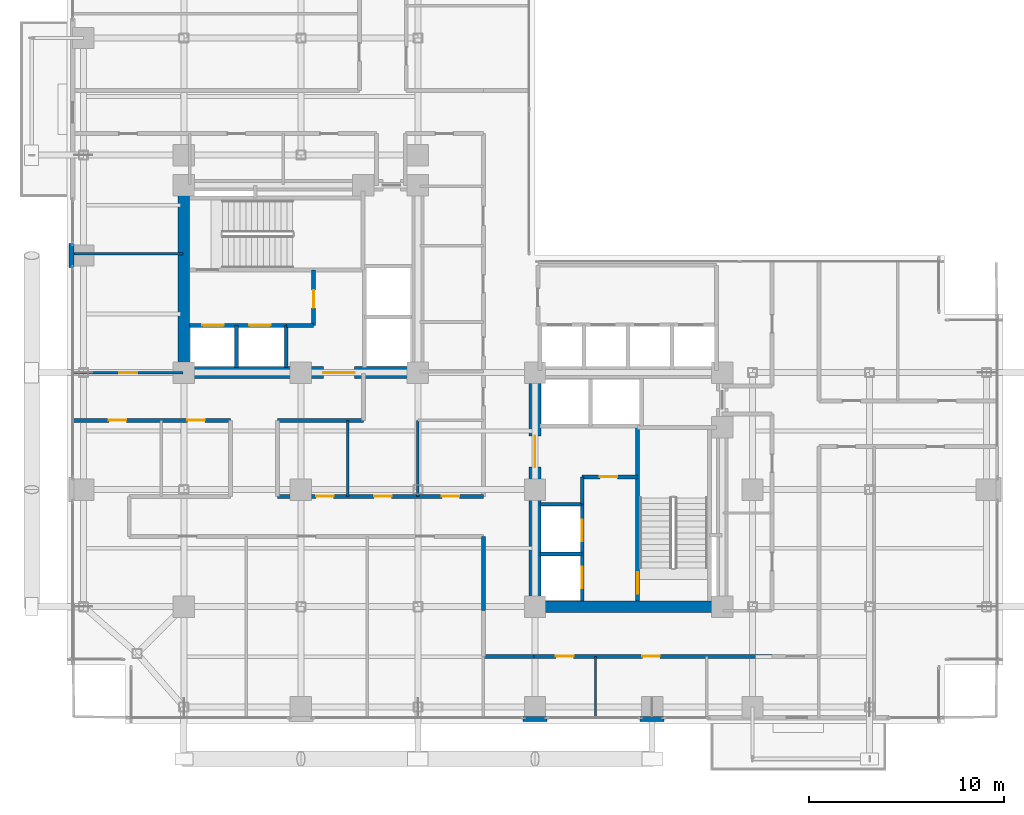
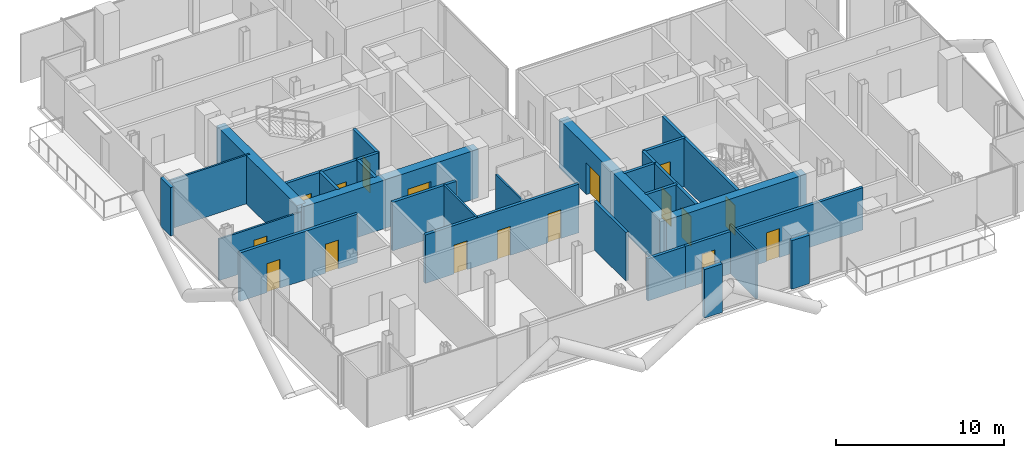
# One storey, part 22 of 28: 29 walls, 17 doors, 17 openings.
"""IFC4 building model written with IfcOpenShell, lengths in metres."""

from ifc_helpers import new_model, si_unit, direction, frame, frame_2d, origin, place, context, subcontext, project, spatial, rectangle, extrude, material, layer, layer_set, type_object, element, fill, save


model = new_model("IFC4")

# Units and contexts
model_context = context("Model", 3, precision=1e-05, world=origin(), true_north=direction((0.0, 1.0)))
body_context = subcontext(model_context, "Body", "Model", "MODEL_VIEW")
ifc_project = project(units=[si_unit("LENGTHUNIT", "METRE"), si_unit("AREAUNIT", "SQUARE_METRE"), si_unit("VOLUMEUNIT", "CUBIC_METRE"), si_unit("PLANEANGLEUNIT", "RADIAN"), si_unit("MASSUNIT", "GRAM", prefix="KILO"), si_unit("THERMODYNAMICTEMPERATUREUNIT", "KELVIN"), si_unit("POWERUNIT", "WATT")], contexts=[model_context])

# Site, building, storey
site_placement = place(None, origin())
site = spatial("IfcSite", under=ifc_project, at=site_placement, CompositionType="ELEMENT")
building_placement = place(site_placement, origin())
building = spatial("IfcBuilding", under=site, at=building_placement, Name="Svarakhadi Broadcast Tower", CompositionType="ELEMENT")
storey_placement = place(building_placement, frame((0.0, 0.0, 149.39990234375)))
storey = spatial("IfcBuildingStorey", under=building, at=storey_placement, Name="L36", CompositionType="ELEMENT", Elevation=149.39990234375)

# Walls
ifc_material_1 = material(Name="Concrete C40/50 (IS 456 M50)", Category="concrete")
ifc_layer_1 = layer(ifc_material_1, 0.239990234375)
ifc_layer_set_1 = layer_set([ifc_layer_1], Name="Concrete C40/50 (IS 456 M50)")
wall_type_1 = type_object("IfcWallType", Name="Wall_Ext_240", PredefinedType="SOLIDWALL", material=ifc_layer_set_1)
for number, where, z_axis, x_axis, name in (
    (1, (0.239990234375, 23.385009765625, 0.0), (0.0, 0.0, 1.0), (0.0, 1.0, 0.0), "L36 Perimeter Bronze Spandrel Closure Wall 02"),
    (2, (30.614990234375, 0.239990234375, 0.0), (0.0, 0.0, 1.0), (-1.0, 0.0, 0.0), "L36 Perimeter Bronze Spandrel Closure Wall 06"),
    (3, (24.614990234375, 0.239990234375, 0.0), (0.0, 0.0, 1.0), (-1.0, 0.0, 0.0), "L36 Perimeter Bronze Spandrel Closure Wall 07"),
):
    element("IfcWall", number, at=place(storey_placement, frame(where, z_axis=z_axis, x_axis=x_axis)), inside=storey, type_object=wall_type_1, Name=name, PredefinedType="SOLIDWALL", context=body_context, shape_type="SweptSolid", body=[
        extrude(rectangle(XDim=1.22998046875, YDim=0.239990234375, at=frame_2d((0.614990234375, 0.0))), origin(), (0.0, 0.0, 1.0), 3.525146484375),
    ])

# Wall, openings, doors
ifc_layer_2 = layer(ifc_material_1, 0.199951171875)
ifc_layer_set_2 = layer_set([ifc_layer_2], Name="Concrete C40/50 (IS 456 M50)")
wall_type_2 = type_object("IfcWallType", Name="Wall_Fire_200", PredefinedType="SOLIDWALL", material=ifc_layer_set_2)
wall_1_placement = place(storey_placement, frame((36.14990234375, 3.449951171875, 0.0), z_axis=(0.0, 0.0, 1.0), x_axis=(-1.0, 0.0, 0.0)))
wall_1 = element("IfcWall", 4, at=wall_1_placement, inside=storey, type_object=wall_type_2, Name="L36 Zone 2/3 Corridor Wall", PredefinedType="SOLIDWALL", context=body_context, shape_type="SweptSolid", body=[
    extrude(rectangle(XDim=12.199951171875, YDim=0.199951171875, at=frame_2d((6.10009765625, 0.0))), origin(), (0.0, 0.0, 1.0), 3.067138671875),
])
opening_1_placement = place(wall_1_placement, frame((10.175048828125, 0.0, 0.0)))
opening_1 = element("IfcOpeningElement", 5, at=opening_1_placement, cuts=wall_1, Name="Opening D-15", PredefinedType="OPENING", context=body_context, shape_type="SweptSolid", body=[
    extrude(rectangle(XDim=0.89990234375, YDim=2.10009765625, at=frame_2d((0.449951171875, 1.050048828125))), frame((0.0, 0.10986328125, 0.0), z_axis=(0.0, -1.0, 0.0), x_axis=(1.0, 0.0, 0.0)), (0.0, 0.0, 1.0), 0.219970703125),
])
opening_2_placement = place(wall_1_placement, frame((5.75, 0.0, 0.0)))
opening_2 = element("IfcOpeningElement", 6, at=opening_2_placement, cuts=wall_1, Name="Opening D-14", PredefinedType="OPENING", context=body_context, shape_type="SweptSolid", body=[
    extrude(rectangle(XDim=0.89990234375, YDim=2.10009765625, at=frame_2d((0.449951171875, 1.050048828125))), frame((0.0, 0.10986328125, 0.0), z_axis=(0.0, -1.0, 0.0), x_axis=(1.0, 0.0, 0.0)), (0.0, 0.0, 1.0), 0.219970703125),
])
ifc_material_2 = material(Name="Solid-Core Teak Veneer Acoustic Timber Leaf", Category="wood")
door_type_1 = type_object("IfcDoorType", Name="Door_Int_D14", OperationType="SINGLE_SWING_LEFT", PredefinedType="DOOR", material=ifc_material_2)
door_1_placement = place(opening_2_placement, origin())
door_1 = element("IfcDoor", 7, at=door_1_placement, inside=storey, type_object=door_type_1, Name="L36 Client Preview Briefing Room Door", OperationType="SINGLE_SWING_LEFT", OverallHeight=2.10009765625, OverallWidth=0.89990234375, PredefinedType="DOOR", context=body_context, shape_type="SweptSolid", body=[
    extrude(rectangle(XDim=0.89990234375, YDim=2.10009765625, at=frame_2d((0.449951171875, 1.050048828125))), frame((0.0, 0.02490234375, 0.0), z_axis=(0.0, -1.0, 0.0), x_axis=(1.0, 0.0, 0.0)), (0.0, 0.0, 1.0), 0.050048828125),
])
fill(opening_2, door_1)
door_type_2 = type_object("IfcDoorType", Name="Door_Int_D15", OperationType="SINGLE_SWING_RIGHT", PredefinedType="DOOR", material=ifc_material_2)
door_2_placement = place(opening_1_placement, origin())
door_2 = element("IfcDoor", 8, at=door_2_placement, inside=storey, type_object=door_type_2, Name="L36 Harbour Front Production Office Door", OperationType="SINGLE_SWING_RIGHT", OverallHeight=2.10009765625, OverallWidth=0.89990234375, PredefinedType="DOOR", context=body_context, shape_type="SweptSolid", body=[
    extrude(rectangle(XDim=0.89990234375, YDim=2.10009765625, at=frame_2d((0.449951171875, 1.050048828125))), frame((0.0, 0.02490234375, 0.0), z_axis=(0.0, -1.0, 0.0), x_axis=(1.0, 0.0, 0.0)), (0.0, 0.0, 1.0), 0.050048828125),
])
fill(opening_1, door_2)

# Walls
wall_2_placement = place(storey_placement, frame((23.949951171875, 3.449951171875, 0.0), z_axis=(0.0, 0.0, 1.0), x_axis=(-1.0, 0.0, 0.0)))
element("IfcWall", 9, at=wall_2_placement, inside=storey, type_object=wall_type_2, Name="L36 Zone 2/3 Corridor Wall", PredefinedType="SOLIDWALL", context=body_context, shape_type="SweptSolid", body=[
    extrude(rectangle(XDim=2.599853515625, YDim=0.199951171875, at=frame_2d((1.2998046875, 0.0))), origin(), (0.0, 0.0, 1.0), 3.067138671875),
])
wall_3_placement = place(storey_placement, frame((21.35009765625, 5.800048828125, 0.0), z_axis=(0.0, 0.0, 1.0), x_axis=(0.0, 1.0, 0.0)))
element("IfcWall", 10, at=wall_3_placement, inside=storey, type_object=wall_type_2, Name="L36 Zone 2/3 Corridor Wall", PredefinedType="SOLIDWALL", context=body_context, shape_type="SweptSolid", body=[
    extrude(rectangle(XDim=3.800048828125, YDim=0.199951171875, at=frame_2d((1.89990234375, 0.0))), origin(), (0.0, 0.0, 1.0), 3.525146484375),
])

# Wall, openings, doors
wall_4_placement = place(storey_placement, frame((8.39990234375, 15.550048828125, 0.0), z_axis=(0.0, 0.0, 1.0), x_axis=(-1.0, 0.0, 0.0)))
wall_4 = element("IfcWall", 11, at=wall_4_placement, inside=storey, type_object=wall_type_2, Name="L36 Zone 2/3 Corridor Wall", PredefinedType="SOLIDWALL", context=body_context, shape_type="SweptSolid", body=[
    extrude(rectangle(XDim=8.099853515625, YDim=0.199951171875, at=frame_2d((4.0498046875, 0.0))), origin(), (0.0, 0.0, 1.0), 3.525146484375),
])
opening_3_placement = place(wall_4_placement, frame((5.35009765625, 0.0, 0.0)))
opening_3 = element("IfcOpeningElement", 12, at=opening_3_placement, cuts=wall_4, Name="Opening D-14", PredefinedType="OPENING", context=body_context, shape_type="SweptSolid", body=[
    extrude(rectangle(XDim=0.89990234375, YDim=2.10009765625, at=frame_2d((0.449951171875, 1.050048828125))), frame((0.0, 0.10986328125, 0.0), z_axis=(0.0, -1.0, 0.0), x_axis=(1.0, 0.0, 0.0)), (0.0, 0.0, 1.0), 0.219970703125),
])
opening_4_placement = place(wall_4_placement, frame((1.324951171875, 0.0, 0.0)))
opening_4 = element("IfcOpeningElement", 13, at=opening_4_placement, cuts=wall_4, Name="Opening D-15", PredefinedType="OPENING", context=body_context, shape_type="SweptSolid", body=[
    extrude(rectangle(XDim=0.89990234375, YDim=2.10009765625, at=frame_2d((0.449951171875, 1.050048828125))), frame((0.0, 0.10986328125, 0.0), z_axis=(0.0, -1.0, 0.0), x_axis=(1.0, 0.0, 0.0)), (0.0, 0.0, 1.0), 0.219970703125),
])
door_3_placement = place(opening_3_placement, origin())
door_3 = element("IfcDoor", 14, at=door_3_placement, inside=storey, type_object=door_type_1, Name="L36 Vinyl and Atmos Mastering Room Door", OperationType="SINGLE_SWING_LEFT", OverallHeight=2.10009765625, OverallWidth=0.89990234375, PredefinedType="DOOR", context=body_context, shape_type="SweptSolid", body=[
    extrude(rectangle(XDim=0.89990234375, YDim=2.10009765625, at=frame_2d((0.449951171875, 1.050048828125))), frame((0.0, 0.02490234375, 0.0), z_axis=(0.0, -1.0, 0.0), x_axis=(1.0, 0.0, 0.0)), (0.0, 0.0, 1.0), 0.050048828125),
])
fill(opening_3, door_3)
door_4_placement = place(opening_4_placement, origin())
door_4 = element("IfcDoor", 15, at=door_4_placement, inside=storey, type_object=door_type_2, Name="L36 Orchestral Instrument Preparation Room Door", OperationType="SINGLE_SWING_RIGHT", OverallHeight=2.10009765625, OverallWidth=0.89990234375, PredefinedType="DOOR", context=body_context, shape_type="SweptSolid", body=[
    extrude(rectangle(XDim=0.89990234375, YDim=2.10009765625, at=frame_2d((0.449951171875, 1.050048828125))), frame((0.0, 0.02490234375, 0.0), z_axis=(0.0, -1.0, 0.0), x_axis=(1.0, 0.0, 0.0)), (0.0, 0.0, 1.0), 0.050048828125),
])
fill(opening_4, door_4)

# Wall
wall_5_placement = place(storey_placement, frame((15.199951171875, 15.550048828125, 0.0), z_axis=(0.0, 0.0, 1.0), x_axis=(-1.0, 0.0, 0.0)))
element("IfcWall", 16, at=wall_5_placement, inside=storey, type_object=wall_type_2, Name="L36 Zone 2/3 Corridor Wall", PredefinedType="SOLIDWALL", context=body_context, shape_type="SweptSolid", body=[
    extrude(rectangle(XDim=4.39990234375, YDim=0.199951171875, at=frame_2d((2.199951171875, 0.0))), origin(), (0.0, 0.0, 1.0), 3.525146484375),
])

# Wall, openings, doors
wall_6_placement = place(storey_placement, frame((10.800048828125, 11.64990234375, 0.0), z_axis=(0.0, 0.0, 1.0), x_axis=(1.0, 0.0, 0.0)))
wall_6 = element("IfcWall", 17, at=wall_6_placement, inside=storey, type_object=wall_type_2, Name="L36 Zone 2/3 Corridor Wall", PredefinedType="SOLIDWALL", context=body_context, shape_type="SweptSolid", body=[
    extrude(rectangle(XDim=10.550048828125, YDim=0.199951171875, at=frame_2d((5.27490234375, 0.0))), origin(), (0.0, 0.0, 1.0), 3.525146484375),
])
opening_5_placement = place(wall_6_placement, frame((1.97998046875, 0.0, 0.0)))
opening_5 = element("IfcOpeningElement", 18, at=opening_5_placement, cuts=wall_6, Name="Opening D-15", PredefinedType="OPENING", context=body_context, shape_type="SweptSolid", body=[
    extrude(rectangle(XDim=0.89990234375, YDim=2.10009765625, at=frame_2d((0.449951171875, 1.050048828125))), frame((0.0, 0.10986328125, 0.0), z_axis=(0.0, -1.0, 0.0), x_axis=(1.0, 0.0, 0.0)), (0.0, 0.0, 1.0), 0.219970703125),
])
opening_6_placement = place(wall_6_placement, frame((4.949951171875, 0.0, 0.0)))
opening_6 = element("IfcOpeningElement", 19, at=opening_6_placement, cuts=wall_6, Name="Opening D-12", PredefinedType="OPENING", context=body_context, shape_type="SweptSolid", body=[
    extrude(rectangle(XDim=0.89990234375, YDim=2.10009765625, at=frame_2d((0.449951171875, 1.050048828125))), frame((0.0, 0.10986328125, 0.0), z_axis=(0.0, -1.0, 0.0), x_axis=(1.0, 0.0, 0.0)), (0.0, 0.0, 1.0), 0.219970703125),
])
opening_7_placement = place(wall_6_placement, frame((8.425048828125, 0.0, 0.0)))
opening_7 = element("IfcOpeningElement", 20, at=opening_7_placement, cuts=wall_6, Name="Opening D-13", PredefinedType="OPENING", context=body_context, shape_type="SweptSolid", body=[
    extrude(rectangle(XDim=0.89990234375, YDim=2.10009765625, at=frame_2d((0.449951171875, 1.050048828125))), frame((0.0, 0.10986328125, 0.0), z_axis=(0.0, -1.0, 0.0), x_axis=(1.0, 0.0, 0.0)), (0.0, 0.0, 1.0), 0.219970703125),
])
door_type_3 = type_object("IfcDoorType", Name="Door_Closet_D13", OperationType="SINGLE_SWING_RIGHT", PredefinedType="DOOR", material=ifc_material_2)
door_5_placement = place(opening_7_placement, origin())
door_5 = element("IfcDoor", 21, at=door_5_placement, inside=storey, type_object=door_type_3, Name="L36 Accessible Floor Washroom WC Door", OperationType="SINGLE_SWING_RIGHT", OverallHeight=2.10009765625, OverallWidth=0.89990234375, PredefinedType="DOOR", context=body_context, shape_type="SweptSolid", body=[
    extrude(rectangle(XDim=0.89990234375, YDim=2.10009765625, at=frame_2d((0.449951171875, 1.050048828125))), frame((0.0, 0.02490234375, 0.0), z_axis=(0.0, -1.0, 0.0), x_axis=(1.0, 0.0, 0.0)), (0.0, 0.0, 1.0), 0.050048828125),
])
fill(opening_7, door_5)
door_6_placement = place(opening_5_placement, origin())
door_6 = element("IfcDoor", 22, at=door_6_placement, inside=storey, type_object=door_type_2, Name="L36 Acoustic Huddle Booth Door", OperationType="SINGLE_SWING_RIGHT", OverallHeight=2.10009765625, OverallWidth=0.89990234375, PredefinedType="DOOR", context=body_context, shape_type="SweptSolid", body=[
    extrude(rectangle(XDim=0.89990234375, YDim=2.10009765625, at=frame_2d((0.449951171875, 1.050048828125))), frame((0.0, 0.02490234375, 0.0), z_axis=(0.0, -1.0, 0.0), x_axis=(1.0, 0.0, 0.0)), (0.0, 0.0, 1.0), 0.050048828125),
])
fill(opening_5, door_6)
door_type_4 = type_object("IfcDoorType", Name="Door_WC_D01", OperationType="SINGLE_SWING_LEFT", PredefinedType="DOOR", material=ifc_material_2)
door_7_placement = place(opening_6_placement, origin())
door_7 = element("IfcDoor", 23, at=door_7_placement, inside=storey, type_object=door_type_4, Name="L36 Tea Bar Pantry Door", OperationType="SINGLE_SWING_LEFT", OverallHeight=2.10009765625, OverallWidth=0.89990234375, PredefinedType="DOOR", context=body_context, shape_type="SweptSolid", body=[
    extrude(rectangle(XDim=0.89990234375, YDim=2.10009765625, at=frame_2d((0.449951171875, 1.050048828125))), frame((0.0, 0.02490234375, 0.0), z_axis=(0.0, -1.0, 0.0), x_axis=(1.0, 0.0, 0.0)), (0.0, 0.0, 1.0), 0.050048828125),
])
fill(opening_6, door_7)

# Walls
ifc_material_3 = material(Name="Fire-Rated Moisture-Resistant Gypsum Board Partition", Category="gypsum")
ifc_layer_3 = layer(ifc_material_3, 0.125)
ifc_layer_set_3 = layer_set([ifc_layer_3], Name="Fire-Rated Moisture-Resistant Gypsum Board Partition")
wall_type_3 = type_object("IfcWallType", Name="Wall_Part_125", PredefinedType="PARTITIONING", material=ifc_layer_set_3)
wall_7_placement = place(storey_placement, frame((14.39990234375, 11.64990234375, 0.0), z_axis=(0.0, 0.0, 1.0), x_axis=(0.0, 1.0, 0.0)))
element("IfcWall", 24, at=wall_7_placement, inside=storey, type_object=wall_type_3, Name="L36 Acoustic Huddle Booth Wall", PredefinedType="PARTITIONING", context=body_context, shape_type="SweptSolid", body=[
    extrude(rectangle(XDim=3.900146484375, YDim=0.125, at=frame_2d((1.9501953125, 0.0))), origin(), (0.0, 0.0, 1.0), 3.525146484375),
])
wall_8_placement = place(storey_placement, frame((18.0, 11.64990234375, 0.0), z_axis=(0.0, 0.0, 1.0), x_axis=(0.0, 1.0, 0.0)))
element("IfcWall", 25, at=wall_8_placement, inside=storey, type_object=wall_type_3, Name="L36 Tea Bar Pantry Wall", PredefinedType="PARTITIONING", context=body_context, shape_type="SweptSolid", body=[
    extrude(rectangle(XDim=3.900146484375, YDim=0.125, at=frame_2d((1.9501953125, 0.0))), origin(), (0.0, 0.0, 1.0), 3.01708984375),
])

# Wall, opening, door
wall_9_placement = place(storey_placement, frame((0.300048828125, 18.0, 0.0), z_axis=(0.0, 0.0, 1.0), x_axis=(1.0, 0.0, 0.0)))
wall_9 = element("IfcWall", 26, at=wall_9_placement, inside=storey, type_object=wall_type_3, Name="L36 Arabian Sea Executive Studio Wall", PredefinedType="PARTITIONING", context=body_context, shape_type="SweptSolid", body=[
    extrude(rectangle(XDim=5.64990234375, YDim=0.125, at=frame_2d((2.824951171875, 0.0))), origin(), (0.0, 0.0, 1.0), 3.01708984375),
])
opening_8_placement = place(wall_9_placement, frame((2.39990234375, 0.0, 0.0)))
opening_8 = element("IfcOpeningElement", 27, at=opening_8_placement, cuts=wall_9, Name="Opening D-15", PredefinedType="OPENING", context=body_context, shape_type="SweptSolid", body=[
    extrude(rectangle(XDim=0.89990234375, YDim=2.10009765625, at=frame_2d((0.449951171875, 1.050048828125))), frame((0.0, 0.072509765625, 0.0), z_axis=(0.0, -1.0, 0.0), x_axis=(1.0, 0.0, 0.0)), (0.0, 0.0, 1.0), 0.14501953125),
])
door_8_placement = place(opening_8_placement, origin())
door_8 = element("IfcDoor", 28, at=door_8_placement, inside=storey, type_object=door_type_2, Name="L36 Arabian Sea Executive Studio Door", OperationType="SINGLE_SWING_RIGHT", OverallHeight=2.10009765625, OverallWidth=0.89990234375, PredefinedType="DOOR", context=body_context, shape_type="SweptSolid", body=[
    extrude(rectangle(XDim=0.89990234375, YDim=2.10009765625, at=frame_2d((0.449951171875, 1.050048828125))), frame((0.0, 0.02490234375, 0.0), z_axis=(0.0, -1.0, 0.0), x_axis=(1.0, 0.0, 0.0)), (0.0, 0.0, 1.0), 0.050048828125),
])
fill(opening_8, door_8)

# Walls
wall_10_placement = place(storey_placement, frame((0.300048828125, 24.10009765625, 0.0), z_axis=(0.0, 0.0, 1.0), x_axis=(1.0, 0.0, 0.0)))
element("IfcWall", 29, at=wall_10_placement, inside=storey, type_object=wall_type_3, Name="L36 Arabian Sea Executive Studio Wall", PredefinedType="PARTITIONING", context=body_context, shape_type="SweptSolid", body=[
    extrude(rectangle(XDim=5.64990234375, YDim=0.125, at=frame_2d((2.824951171875, 0.0))), origin(), (0.0, 0.0, 1.0), 3.525146484375),
])
wall_11_placement = place(storey_placement, frame((27.10009765625, 0.300048828125, 0.0), z_axis=(0.0, 0.0, 1.0), x_axis=(0.0, 1.0, 0.0)))
element("IfcWall", 30, at=wall_11_placement, inside=storey, type_object=wall_type_3, Name="L36 Harbour Front Production Office Wall", PredefinedType="PARTITIONING", context=body_context, shape_type="SweptSolid", body=[
    extrude(rectangle(XDim=3.14990234375, YDim=0.125, at=frame_2d((1.574951171875, 0.0))), origin(), (0.0, 0.0, 1.0), 3.525146484375),
])

# Wall, opening, door
ifc_material_4 = material(Name="Concrete C50/60 (IS 456 M60)", Category="concrete")
ifc_layer_4 = layer(ifc_material_4, 0.199951171875)
ifc_layer_set_4 = layer_set([ifc_layer_4], Name="Concrete C50/60 (IS 456 M60)")
wall_type_4 = type_object("IfcWallType", Name="Wall_Shear_200", PredefinedType="SHEAR", material=ifc_layer_set_4)
wall_12_placement = place(storey_placement, frame((29.260009765625, 6.300048828125, 0.0), z_axis=(0.0, 0.0, 1.0), x_axis=(0.0, 1.0, 0.0)))
wall_12 = element("IfcWall", 31, at=wall_12_placement, inside=storey, type_object=wall_type_4, Name="L36 Stair ST-02 West RC Shaft Wall", PredefinedType="SHEAR", context=body_context, shape_type="SweptSolid", body=[
    extrude(rectangle(XDim=8.8798828125, YDim=0.199951171875, at=frame_2d((4.43994140625, 0.0))), origin(), (0.0, 0.0, 1.0), 3.525146484375),
])
opening_9_placement = place(wall_12_placement, frame((0.35009765625, 0.0, 0.0)))
opening_9 = element("IfcOpeningElement", 32, at=opening_9_placement, cuts=wall_12, Name="Opening D-02", PredefinedType="OPENING", context=body_context, shape_type="SweptSolid", body=[
    extrude(rectangle(XDim=1.10009765625, YDim=2.199951171875, at=frame_2d((0.550048828125, 1.10009765625))), frame((0.0, 0.10986328125, 0.0), z_axis=(0.0, -1.0, 0.0), x_axis=(1.0, 0.0, 0.0)), (0.0, 0.0, 1.0), 0.219970703125),
])
ifc_material_5 = material(Name="Galvanised Powder-Coated Fire-Rated Steel Leaf", Category="steel")
door_type_5 = type_object("IfcDoorType", Name="Door_Stair_D02", OperationType="SINGLE_SWING_RIGHT", PredefinedType="DOOR", material=ifc_material_5)
door_9_placement = place(opening_9_placement, origin())
door_9 = element("IfcDoor", 33, at=door_9_placement, inside=storey, type_object=door_type_5, Name="L36 Protected Exit Stair ST-02 Fire Door", OperationType="SINGLE_SWING_RIGHT", OverallHeight=2.199951171875, OverallWidth=1.10009765625, PredefinedType="DOOR", context=body_context, shape_type="SweptSolid", body=[
    extrude(rectangle(XDim=1.10009765625, YDim=2.199951171875, at=frame_2d((0.550048828125, 1.10009765625))), frame((0.0, 0.02490234375, 0.0), z_axis=(0.0, -1.0, 0.0), x_axis=(1.0, 0.0, 0.0)), (0.0, 0.0, 1.0), 0.050048828125),
])
fill(opening_9, door_9)

# Wall, openings, doors
wall_13_placement = place(storey_placement, frame((6.300048828125, 20.419921875, 0.0), z_axis=(0.0, 0.0, 1.0), x_axis=(1.0, 0.0, 0.0)))
wall_13 = element("IfcWall", 34, at=wall_13_placement, inside=storey, type_object=wall_type_4, Name="L36 Firefighting Lift LF-01/02 Shaft Wall", PredefinedType="SHEAR", context=body_context, shape_type="SweptSolid", body=[
    extrude(rectangle(XDim=4.949951171875, YDim=0.199951171875, at=frame_2d((2.47509765625, 0.0))), origin(), (0.0, 0.0, 1.0), 3.525146484375),
])
opening_10_placement = place(wall_13_placement, frame((0.64990234375, 0.0, 0.0)))
opening_10 = element("IfcOpeningElement", 35, at=opening_10_placement, cuts=wall_13, Name="Opening LD-01", PredefinedType="OPENING", context=body_context, shape_type="SweptSolid", body=[
    extrude(rectangle(XDim=1.10009765625, YDim=2.199951171875, at=frame_2d((0.550048828125, 1.10009765625))), frame((0.0, 0.10986328125, 0.0), z_axis=(0.0, -1.0, 0.0), x_axis=(1.0, 0.0, 0.0)), (0.0, 0.0, 1.0), 0.219970703125),
])
opening_11_placement = place(wall_13_placement, frame((3.050048828125, 0.0, 0.0)))
opening_11 = element("IfcOpeningElement", 36, at=opening_11_placement, cuts=wall_13, Name="Opening LD-01", PredefinedType="OPENING", context=body_context, shape_type="SweptSolid", body=[
    extrude(rectangle(XDim=1.10009765625, YDim=2.199951171875, at=frame_2d((0.550048828125, 1.10009765625))), frame((0.0, 0.10986328125, 0.0), z_axis=(0.0, -1.0, 0.0), x_axis=(1.0, 0.0, 0.0)), (0.0, 0.0, 1.0), 0.219970703125),
])
door_type_6 = type_object("IfcDoorType", Name="Door_Lift_LD01", OperationType="SLIDING_TO_LEFT", PredefinedType="DOOR", material=ifc_material_5)
door_10_placement = place(opening_10_placement, origin())
door_10 = element("IfcDoor", 37, at=door_10_placement, inside=storey, type_object=door_type_6, Name="L36 Firefighting Lift LF-01 Landing Door", OperationType="SLIDING_TO_LEFT", OverallHeight=2.199951171875, OverallWidth=1.10009765625, PredefinedType="DOOR", context=body_context, shape_type="SweptSolid", body=[
    extrude(rectangle(XDim=1.10009765625, YDim=2.199951171875, at=frame_2d((0.550048828125, 1.10009765625))), frame((0.0, 0.02490234375, 0.0), z_axis=(0.0, -1.0, 0.0), x_axis=(1.0, 0.0, 0.0)), (0.0, 0.0, 1.0), 0.050048828125),
])
fill(opening_10, door_10)
door_11_placement = place(opening_11_placement, origin())
door_11 = element("IfcDoor", 38, at=door_11_placement, inside=storey, type_object=door_type_6, Name="L36 Firefighting Lift LF-02 Landing Door", OperationType="SLIDING_TO_LEFT", OverallHeight=2.199951171875, OverallWidth=1.10009765625, PredefinedType="DOOR", context=body_context, shape_type="SweptSolid", body=[
    extrude(rectangle(XDim=1.10009765625, YDim=2.199951171875, at=frame_2d((0.550048828125, 1.10009765625))), frame((0.0, 0.02490234375, 0.0), z_axis=(0.0, -1.0, 0.0), x_axis=(1.0, 0.0, 0.0)), (0.0, 0.0, 1.0), 0.050048828125),
])
fill(opening_11, door_11)

# Walls
for number, where, z_axis, x_axis, name in (
    (39, (8.699951171875, 18.25, 0.0), (0.0, 0.0, 1.0), (0.0, 1.0, 0.0), "L36 Firefighting Lift LF-01/02 Divider Wall"),
    (40, (11.25, 18.25, 0.0), (0.0, 0.0, 1.0), (0.0, 1.0, 0.0), "L36 Firefighting Lift LF-02 East Wall"),
):
    element("IfcWall", number, at=place(storey_placement, frame(where, z_axis=z_axis, x_axis=x_axis)), inside=storey, type_object=wall_type_4, Name=name, PredefinedType="SHEAR", context=body_context, shape_type="SweptSolid", body=[
        extrude(rectangle(XDim=2.169921875, YDim=0.199951171875, at=frame_2d((1.0849609375, 0.0))), origin(), (0.0, 0.0, 1.0), 3.525146484375),
    ])
wall_14_placement = place(storey_placement, frame((11.25, 20.419921875, 0.0), z_axis=(0.0, 0.0, 1.0), x_axis=(1.0, 0.0, 0.0)))
element("IfcWall", 41, at=wall_14_placement, inside=storey, type_object=wall_type_4, Name="L36 West Firefighting Lobby South Wall", PredefinedType="SHEAR", context=body_context, shape_type="SweptSolid", body=[
    extrude(rectangle(XDim=1.39990234375, YDim=0.199951171875, at=frame_2d((0.699951171875, 0.0))), origin(), (0.0, 0.0, 1.0), 3.525146484375),
])

# Wall, opening, door
wall_15_placement = place(storey_placement, frame((12.64990234375, 20.419921875, 0.0), z_axis=(0.0, 0.0, 1.0), x_axis=(0.0, 1.0, 0.0)))
wall_15 = element("IfcWall", 42, at=wall_15_placement, inside=storey, type_object=wall_type_4, Name="L36 West Firefighting Lobby East Wall", PredefinedType="SHEAR", context=body_context, shape_type="SweptSolid", body=[
    extrude(rectangle(XDim=2.840087890625, YDim=0.199951171875, at=frame_2d((1.419921875, 0.0))), origin(), (0.0, 0.0, 1.0), 3.525146484375),
])
opening_12_placement = place(wall_15_placement, frame((0.89990234375, 0.0, 0.0)))
opening_12 = element("IfcOpeningElement", 43, at=opening_12_placement, cuts=wall_15, Name="Opening D-03", PredefinedType="OPENING", context=body_context, shape_type="SweptSolid", body=[
    extrude(rectangle(XDim=0.89990234375, YDim=2.14990234375, at=frame_2d((0.449951171875, 1.074951171875))), frame((0.0, 0.10986328125, 0.0), z_axis=(0.0, -1.0, 0.0), x_axis=(1.0, 0.0, 0.0)), (0.0, 0.0, 1.0), 0.219970703125),
])
door_type_7 = type_object("IfcDoorType", Name="Door_Fire_D03", OperationType="SINGLE_SWING_LEFT", PredefinedType="DOOR", material=ifc_material_5)
door_12_placement = place(opening_12_placement, origin())
door_12 = element("IfcDoor", 44, at=door_12_placement, inside=storey, type_object=door_type_7, Name="L36 West Firefighting Lobby Fire Door", OperationType="SINGLE_SWING_LEFT", OverallHeight=2.14990234375, OverallWidth=0.89990234375, PredefinedType="DOOR", context=body_context, shape_type="SweptSolid", body=[
    extrude(rectangle(XDim=0.89990234375, YDim=2.14990234375, at=frame_2d((0.449951171875, 1.074951171875))), frame((0.0, 0.02490234375, 0.0), z_axis=(0.0, -1.0, 0.0), x_axis=(1.0, 0.0, 0.0)), (0.0, 0.0, 1.0), 0.050048828125),
])
fill(opening_12, door_12)

# Wall, openings, doors
wall_16_placement = place(storey_placement, frame((26.419921875, 6.300048828125, 0.0), z_axis=(0.0, 0.0, 1.0), x_axis=(0.0, 1.0, 0.0)))
wall_16 = element("IfcWall", 45, at=wall_16_placement, inside=storey, type_object=wall_type_4, Name="L36 Firefighting Lift LF-03/04 Shaft Wall", PredefinedType="SHEAR", context=body_context, shape_type="SweptSolid", body=[
    extrude(rectangle(XDim=4.949951171875, YDim=0.199951171875, at=frame_2d((2.47509765625, 0.0))), origin(), (0.0, 0.0, 1.0), 3.525146484375),
])
opening_13_placement = place(wall_16_placement, frame((0.64990234375, 0.0, 0.0)))
opening_13 = element("IfcOpeningElement", 46, at=opening_13_placement, cuts=wall_16, Name="Opening LD-01", PredefinedType="OPENING", context=body_context, shape_type="SweptSolid", body=[
    extrude(rectangle(XDim=1.10009765625, YDim=2.199951171875, at=frame_2d((0.550048828125, 1.10009765625))), frame((0.0, 0.10986328125, 0.0), z_axis=(0.0, -1.0, 0.0), x_axis=(1.0, 0.0, 0.0)), (0.0, 0.0, 1.0), 0.219970703125),
])
opening_14_placement = place(wall_16_placement, frame((3.050048828125, 0.0, 0.0)))
opening_14 = element("IfcOpeningElement", 47, at=opening_14_placement, cuts=wall_16, Name="Opening LD-01", PredefinedType="OPENING", context=body_context, shape_type="SweptSolid", body=[
    extrude(rectangle(XDim=1.10009765625, YDim=2.199951171875, at=frame_2d((0.550048828125, 1.10009765625))), frame((0.0, 0.10986328125, 0.0), z_axis=(0.0, -1.0, 0.0), x_axis=(1.0, 0.0, 0.0)), (0.0, 0.0, 1.0), 0.219970703125),
])
door_13_placement = place(opening_13_placement, origin())
door_13 = element("IfcDoor", 48, at=door_13_placement, inside=storey, type_object=door_type_6, Name="L36 Firefighting Lift LF-03 Landing Door", OperationType="SLIDING_TO_LEFT", OverallHeight=2.199951171875, OverallWidth=1.10009765625, PredefinedType="DOOR", context=body_context, shape_type="SweptSolid", body=[
    extrude(rectangle(XDim=1.10009765625, YDim=2.199951171875, at=frame_2d((0.550048828125, 1.10009765625))), frame((0.0, 0.02490234375, 0.0), z_axis=(0.0, -1.0, 0.0), x_axis=(1.0, 0.0, 0.0)), (0.0, 0.0, 1.0), 0.050048828125),
])
fill(opening_13, door_13)
door_14_placement = place(opening_14_placement, origin())
door_14 = element("IfcDoor", 49, at=door_14_placement, inside=storey, type_object=door_type_6, Name="L36 Firefighting Lift LF-04 Landing Door", OperationType="SLIDING_TO_LEFT", OverallHeight=2.199951171875, OverallWidth=1.10009765625, PredefinedType="DOOR", context=body_context, shape_type="SweptSolid", body=[
    extrude(rectangle(XDim=1.10009765625, YDim=2.199951171875, at=frame_2d((0.550048828125, 1.10009765625))), frame((0.0, 0.02490234375, 0.0), z_axis=(0.0, -1.0, 0.0), x_axis=(1.0, 0.0, 0.0)), (0.0, 0.0, 1.0), 0.050048828125),
])
fill(opening_14, door_14)

# Walls
for number, where, z_axis, x_axis, name in (
    (50, (24.25, 8.699951171875, 0.0), (0.0, 0.0, 1.0), (1.0, 0.0, 0.0), "L36 Firefighting Lift LF-03/04 Divider Wall"),
    (51, (24.25, 11.25, 0.0), (0.0, 0.0, 1.0), (1.0, 0.0, 0.0), "L36 Firefighting Lift LF-04 North Wall"),
):
    element("IfcWall", number, at=place(storey_placement, frame(where, z_axis=z_axis, x_axis=x_axis)), inside=storey, type_object=wall_type_4, Name=name, PredefinedType="SHEAR", context=body_context, shape_type="SweptSolid", body=[
        extrude(rectangle(XDim=2.169921875, YDim=0.199951171875, at=frame_2d((1.0849609375, 0.0))), origin(), (0.0, 0.0, 1.0), 3.525146484375),
    ])
wall_17_placement = place(storey_placement, frame((26.419921875, 11.25, 0.0), z_axis=(0.0, 0.0, 1.0), x_axis=(0.0, 1.0, 0.0)))
element("IfcWall", 52, at=wall_17_placement, inside=storey, type_object=wall_type_4, Name="L36 East Firefighting Lobby West Wall", PredefinedType="SHEAR", context=body_context, shape_type="SweptSolid", body=[
    extrude(rectangle(XDim=1.39990234375, YDim=0.199951171875, at=frame_2d((0.699951171875, 0.0))), origin(), (0.0, 0.0, 1.0), 3.525146484375),
])

# Wall, opening, door
wall_18_placement = place(storey_placement, frame((26.419921875, 12.64990234375, 0.0), z_axis=(0.0, 0.0, 1.0), x_axis=(1.0, 0.0, 0.0)))
wall_18 = element("IfcWall", 53, at=wall_18_placement, inside=storey, type_object=wall_type_4, Name="L36 East Firefighting Lobby North Wall", PredefinedType="SHEAR", context=body_context, shape_type="SweptSolid", body=[
    extrude(rectangle(XDim=2.840087890625, YDim=0.199951171875, at=frame_2d((1.419921875, 0.0))), origin(), (0.0, 0.0, 1.0), 3.525146484375),
])
opening_15_placement = place(wall_18_placement, frame((0.89990234375, 0.0, 0.0)))
opening_15 = element("IfcOpeningElement", 54, at=opening_15_placement, cuts=wall_18, Name="Opening D-04", PredefinedType="OPENING", context=body_context, shape_type="SweptSolid", body=[
    extrude(rectangle(XDim=0.89990234375, YDim=2.14990234375, at=frame_2d((0.449951171875, 1.074951171875))), frame((0.0, 0.10986328125, 0.0), z_axis=(0.0, -1.0, 0.0), x_axis=(1.0, 0.0, 0.0)), (0.0, 0.0, 1.0), 0.219970703125),
])
door_type_8 = type_object("IfcDoorType", Name="Door_Fire_D04", OperationType="SINGLE_SWING_RIGHT", PredefinedType="DOOR", material=ifc_material_5)
door_15_placement = place(opening_15_placement, origin())
door_15 = element("IfcDoor", 55, at=door_15_placement, inside=storey, type_object=door_type_8, Name="L36 East Firefighting Lobby Fire Door", OperationType="SINGLE_SWING_RIGHT", OverallHeight=2.14990234375, OverallWidth=0.89990234375, PredefinedType="DOOR", context=body_context, shape_type="SweptSolid", body=[
    extrude(rectangle(XDim=0.89990234375, YDim=2.14990234375, at=frame_2d((0.449951171875, 1.074951171875))), frame((0.0, 0.02490234375, 0.0), z_axis=(0.0, -1.0, 0.0), x_axis=(1.0, 0.0, 0.0)), (0.0, 0.0, 1.0), 0.050048828125),
])
fill(opening_15, door_15)

ifc_material_6 = material(Name="Concrete C60/75 (IS 456 M70)", Category="concrete")
ifc_layer_5 = layer(ifc_material_6, 0.60009765625)
ifc_layer_set_5 = layer_set([ifc_layer_5], Name="Concrete C60/75 (IS 456 M70)")
wall_type_5 = type_object("IfcWallType", Name="Wall_Shear_600", PredefinedType="SHEAR", material=ifc_layer_set_5)
wall_19_placement = place(storey_placement, frame((6.0, 18.0, 0.0), z_axis=(0.0, 0.0, 1.0), x_axis=(1.0, 0.0, 0.0)))
wall_19 = element("IfcWall", 56, at=wall_19_placement, inside=storey, type_object=wall_type_5, Name="L36 West Core South Shear Wall", PredefinedType="SHEAR", context=body_context, shape_type="SweptSolid", body=[
    extrude(rectangle(XDim=12.0, YDim=0.60009765625, at=frame_2d((6.0, 0.0))), origin(), (0.0, 0.0, 1.0), 3.525146484375),
])
opening_16_placement = place(wall_19_placement, frame((7.14990234375, 0.0, 0.0)))
opening_16 = element("IfcOpeningElement", 57, at=opening_16_placement, cuts=wall_19, Name="Opening D-05", PredefinedType="OPENING", context=body_context, shape_type="SweptSolid", body=[
    extrude(rectangle(XDim=1.60009765625, YDim=2.300048828125, at=frame_2d((0.800048828125, 1.14990234375))), frame((0.0, 0.31005859375, 0.0), z_axis=(0.0, -1.0, 0.0), x_axis=(1.0, 0.0, 0.0)), (0.0, 0.0, 1.0), 0.6201171875),
])
ifc_material_7 = material(Name="Anodised Bronze Aluminium AA 6063-T6", Category="aluminium")
door_type_9 = type_object("IfcDoorType", Name="Door_Lobby_D05", OperationType="DOUBLE_DOOR_SLIDING", PredefinedType="DOOR", material=ifc_material_7)
door_16_placement = place(opening_16_placement, origin())
door_16 = element("IfcDoor", 58, at=door_16_placement, inside=storey, type_object=door_type_9, Name="L36 West Core Passenger Lift Lobby Entrance Door", OperationType="DOUBLE_DOOR_SLIDING", OverallHeight=2.300048828125, OverallWidth=1.60009765625, PredefinedType="DOOR", context=body_context, shape_type="SweptSolid", body=[
    extrude(rectangle(XDim=1.60009765625, YDim=2.300048828125, at=frame_2d((0.800048828125, 1.14990234375))), frame((0.0, 0.02490234375, 0.0), z_axis=(0.0, -1.0, 0.0), x_axis=(1.0, 0.0, 0.0)), (0.0, 0.0, 1.0), 0.050048828125),
])
fill(opening_16, door_16)

# Walls
for number, where, z_axis, x_axis, name in (
    (59, (6.0, 18.0, 0.0), (0.0, 0.0, 1.0), (0.0, 1.0, 0.0), "L36 West Core West Shear Wall"),
    (60, (24.0, 6.0, 0.0), (0.0, 0.0, 1.0), (1.0, 0.0, 0.0), "L36 East Core South Shear Wall"),
):
    element("IfcWall", number, at=place(storey_placement, frame(where, z_axis=z_axis, x_axis=x_axis)), inside=storey, type_object=wall_type_5, Name=name, PredefinedType="SHEAR", context=body_context, shape_type="SweptSolid", body=[
        extrude(rectangle(XDim=9.60009765625, YDim=0.60009765625, at=frame_2d((4.800048828125, 0.0))), origin(), (0.0, 0.0, 1.0), 3.525146484375),
    ])

# Wall, opening, door
wall_20_placement = place(storey_placement, frame((24.0, 6.0, 0.0), z_axis=(0.0, 0.0, 1.0), x_axis=(0.0, 1.0, 0.0)))
wall_20 = element("IfcWall", 61, at=wall_20_placement, inside=storey, type_object=wall_type_5, Name="L36 East Core West Shear Wall", PredefinedType="SHEAR", context=body_context, shape_type="SweptSolid", body=[
    extrude(rectangle(XDim=12.0, YDim=0.60009765625, at=frame_2d((6.0, 0.0))), origin(), (0.0, 0.0, 1.0), 3.525146484375),
])
opening_17_placement = place(wall_20_placement, frame((7.14990234375, 0.0, 0.0)))
opening_17 = element("IfcOpeningElement", 62, at=opening_17_placement, cuts=wall_20, Name="Opening D-05", PredefinedType="OPENING", context=body_context, shape_type="SweptSolid", body=[
    extrude(rectangle(XDim=1.60009765625, YDim=2.300048828125, at=frame_2d((0.800048828125, 1.14990234375))), frame((0.0, 0.31005859375, 0.0), z_axis=(0.0, -1.0, 0.0), x_axis=(1.0, 0.0, 0.0)), (0.0, 0.0, 1.0), 0.6201171875),
])
door_17_placement = place(opening_17_placement, origin())
door_17 = element("IfcDoor", 63, at=door_17_placement, inside=storey, type_object=door_type_9, Name="L36 East Core Passenger Lift Lobby Entrance Door", OperationType="DOUBLE_DOOR_SLIDING", OverallHeight=2.300048828125, OverallWidth=1.60009765625, PredefinedType="DOOR", context=body_context, shape_type="SweptSolid", body=[
    extrude(rectangle(XDim=1.60009765625, YDim=2.300048828125, at=frame_2d((0.800048828125, 1.14990234375))), frame((0.0, 0.02490234375, 0.0), z_axis=(0.0, -1.0, 0.0), x_axis=(1.0, 0.0, 0.0)), (0.0, 0.0, 1.0), 0.050048828125),
])
fill(opening_17, door_17)

save(model, "model.ifc")
